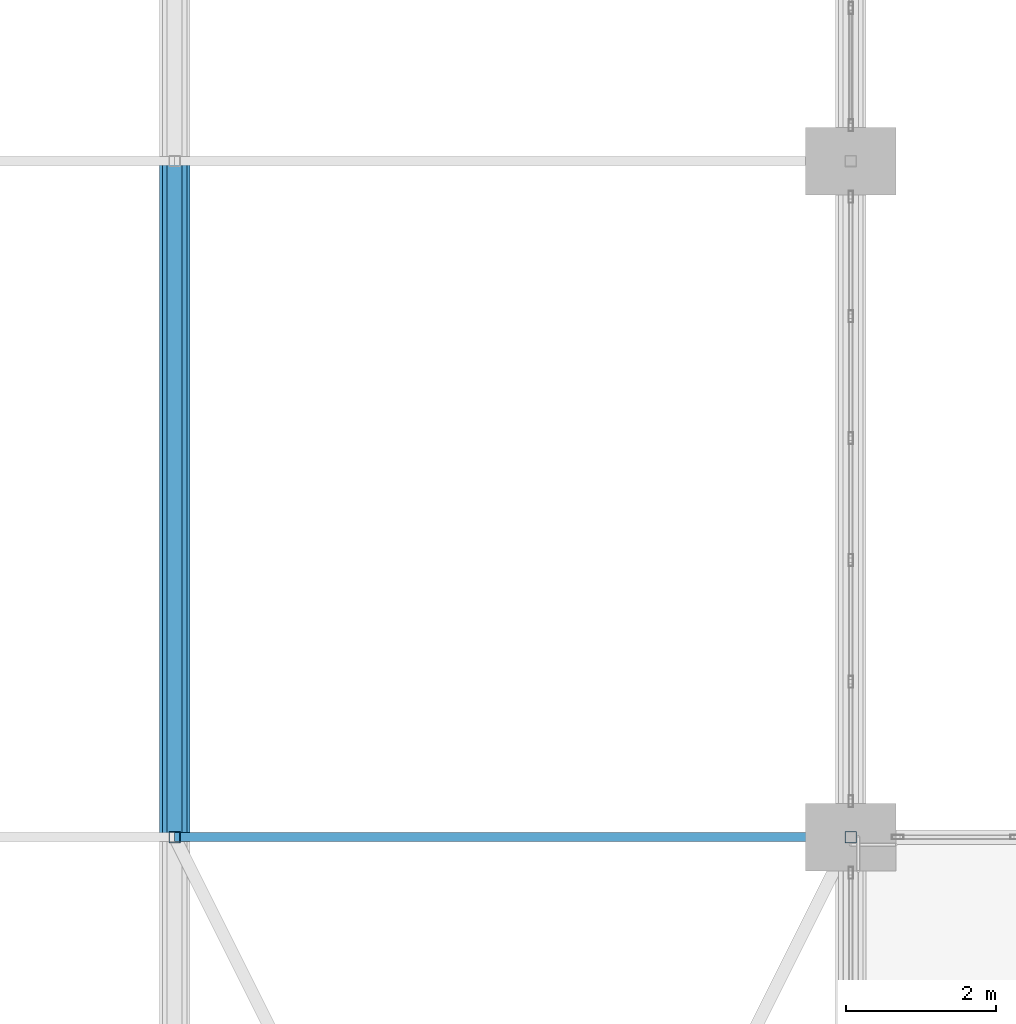
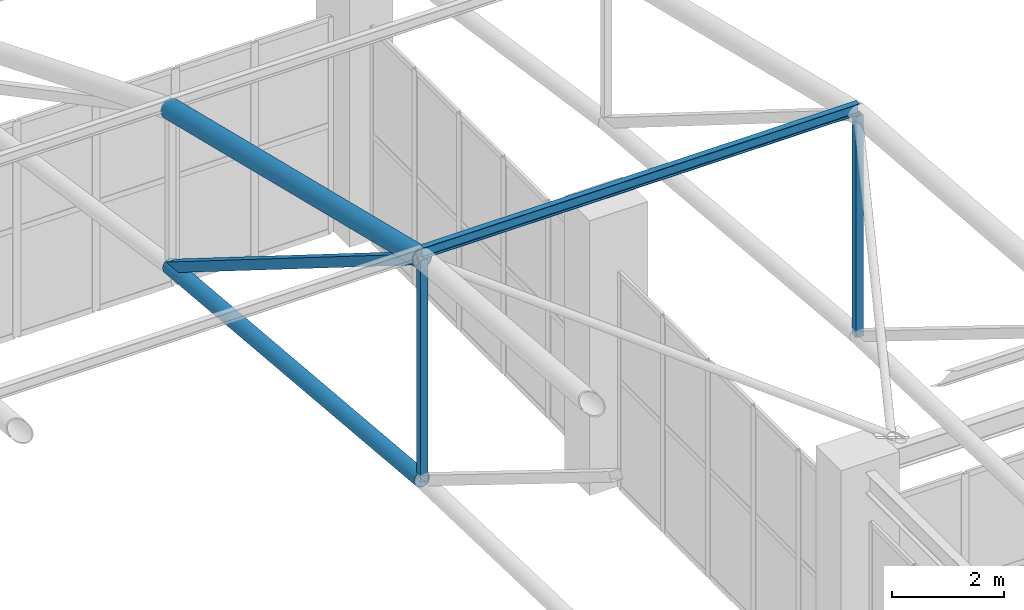
# One storey, part 151 of 223: 6 members.
"""IFC4 building model written with IfcOpenShell, lengths in metres."""

from ifc_helpers import new_model, si_unit, direction, frame, origin, origin_2d, place, context, subcontext, project, spatial, hollow_rectangle, hollow_circle, i_section, extrude, material, material_profile, profile_set, type_object, element, save


model = new_model("IFC4")

# Units and contexts
model_context = context("Model", 3, precision=1e-05, world=origin(), true_north=direction((0.0, 1.0)))
body_context = subcontext(model_context, "Body", "Model", "MODEL_VIEW")
ifc_project = project(units=[si_unit("LENGTHUNIT", "METRE"), si_unit("AREAUNIT", "SQUARE_METRE"), si_unit("VOLUMEUNIT", "CUBIC_METRE"), si_unit("PLANEANGLEUNIT", "RADIAN"), si_unit("MASSUNIT", "GRAM", prefix="KILO")], contexts=[model_context])

# Site, building, storey
site_placement = place(None, origin())
site = spatial("IfcSite", under=ifc_project, at=site_placement, CompositionType="ELEMENT")
building_placement = place(site_placement, origin())
building = spatial("IfcBuilding", under=site, at=building_placement, Name="Dornveld Trade and Exhibition Forum", CompositionType="ELEMENT")
storey_placement = place(building_placement, frame((0.0, 0.0, 6.0)))
storey = spatial("IfcBuildingStorey", under=building, at=storey_placement, Name="L01", CompositionType="ELEMENT", Elevation=6.0)

# Members
ifc_material_1 = material(Name="Steel S355J2", Category="steel")
ifc_material_profile_1 = material_profile(ifc_material_1, hollow_circle(Radius=0.161865234375, WallThickness=0.01611328125, at=origin_2d()), Name="CHS 323.9x16")
ifc_profile_set_1 = profile_set([ifc_material_profile_1], Name="Steel S355J2")
member_type_1 = type_object("IfcMemberType", Name="MEM-ARCH-BC", PredefinedType="CHORD", material=ifc_profile_set_1)
member_1_placement = place(storey_placement, frame((162.0, 144.0, 8.4833984375), z_axis=(0.0, 0.996072164085, -0.088545151956), x_axis=(-1.0, 0.0, 0.0)))
element("IfcMember", 1, at=member_1_placement, inside=storey, type_object=member_type_1, Name="H1 truss 8 tie chord 5", PredefinedType="CHORD", context=body_context, shape_type="SweptSolid", body=[
    extrude(hollow_circle(Radius=0.161865234375, WallThickness=0.01611328125, at=origin_2d()), origin(), (0.0, 0.0, 1.0), 9.035400390625),
])
ifc_material_2 = material(Name="Steel S355J2", Category="steel")
ifc_material_profile_2 = material_profile(ifc_material_2, hollow_rectangle(XDim=0.14990234375, YDim=0.14990234375, WallThickness=0.008056640625, at=origin_2d()), Name="SHS 150x150x8")
ifc_profile_set_2 = profile_set([ifc_material_profile_2], Name="Steel S355J2")
member_type_2 = type_object("IfcMemberType", Name="MEM-ARCH-STR", PredefinedType="STRUT", material=ifc_profile_set_2)
for number, where, z_axis, x_axis, name in (
    (2, (162.0, 144.0, 8.4833984375), (0.0, 0.0, 1.0), (1.0, 0.0, 0.0), "H1 truss 8 strut 5"),
    (3, (171.0, 144.0, 8.4833984375), (0.0, 0.0, 1.0), (1.0, 0.0, 0.0), "H1 truss 9 strut 5"),
):
    element("IfcMember", number, at=place(storey_placement, frame(where, z_axis=z_axis, x_axis=x_axis)), inside=storey, type_object=member_type_2, Name=name, PredefinedType="STRUT", context=body_context, shape_type="SweptSolid", body=[
        extrude(hollow_rectangle(XDim=0.14990234375, YDim=0.14990234375, WallThickness=0.008056640625, at=origin_2d()), origin(), (0.0, 0.0, 1.0), 4.833251953125),
    ])
ifc_material_3 = material(Name="Steel S355J2", Category="steel")
ifc_material_profile_3 = material_profile(ifc_material_3, hollow_circle(Radius=0.203125, WallThickness=0.02001953125, at=origin_2d()), Name="CHS 406.4x20")
ifc_profile_set_3 = profile_set([ifc_material_profile_3], Name="Steel S355J2")
member_type_3 = type_object("IfcMemberType", Name="MEM-ARCH-TC", PredefinedType="CHORD", material=ifc_profile_set_3)
member_2_placement = place(storey_placement, frame((162.0, 144.0, 13.316650390625), z_axis=(0.0, 0.971400222114, -0.237448117444), x_axis=(-1.0, 0.0, 0.0)))
element("IfcMember", 4, at=member_2_placement, inside=storey, type_object=member_type_3, Name="H1 truss 8 top chord 5", PredefinedType="CHORD", context=body_context, shape_type="SweptSolid", body=[
    extrude(hollow_circle(Radius=0.203125, WallThickness=0.02001953125, at=origin_2d()), origin(), (0.0, 0.0, 1.0), 9.264892578125),
])
ifc_material_4 = material(Name="Steel S355J2", Category="steel")
ifc_material_profile_4 = material_profile(ifc_material_4, hollow_rectangle(XDim=0.199951171875, YDim=0.199951171875, WallThickness=0.010009765625, at=origin_2d()), Name="SHS 200x200x10")
ifc_profile_set_4 = profile_set([ifc_material_profile_4], Name="Steel S355J2")
member_type_4 = type_object("IfcMemberType", Name="MEM-ARCH-WEB", PredefinedType="BRACE", material=ifc_profile_set_4)
member_3_placement = place(storey_placement, frame((162.0, 153.0, 7.683349609375), z_axis=(0.0, -0.847646750348, 0.530561011218), x_axis=(1.0, 0.0, 0.0)))
element("IfcMember", 5, at=member_3_placement, inside=storey, type_object=member_type_4, Name="H1 truss 8 web 5", PredefinedType="BRACE", context=body_context, shape_type="SweptSolid", body=[
    extrude(hollow_rectangle(XDim=0.199951171875, YDim=0.199951171875, WallThickness=0.010009765625, at=origin_2d()), origin(), (0.0, 0.0, 1.0), 10.61767578125),
])
ifc_material_5 = material(Name="Steel S355J2", Category="steel")
ifc_material_profile_5 = material_profile(ifc_material_5, i_section(OverallWidth=0.1201171875, OverallDepth=0.239990234375, WebThickness=0.006103515625, FlangeThickness=0.009765625, FilletRadius=0.014892578125, at=origin_2d()), Name="IPE 240")
ifc_profile_set_5 = profile_set([ifc_material_profile_5], Name="Steel S355J2")
member_type_5 = type_object("IfcMemberType", Name="MEM-PURLIN-240", PredefinedType="PURLIN", material=ifc_profile_set_5)
member_4_placement = place(storey_placement, frame((162.0, 144.0, 13.44873046875), z_axis=(1.0, 0.0, 0.0), x_axis=(0.0, 1.0, 0.0)))
element("IfcMember", 6, at=member_4_placement, inside=storey, type_object=member_type_5, Name="H1 bay 8 roof purlin 5", PredefinedType="PURLIN", context=body_context, shape_type="SweptSolid", body=[
    extrude(i_section(OverallWidth=0.1201171875, OverallDepth=0.239990234375, WebThickness=0.006103515625, FlangeThickness=0.009765625, FilletRadius=0.014892578125, at=origin_2d()), origin(), (0.0, 0.0, 1.0), 9.0),
])

save(model, "model.ifc")
